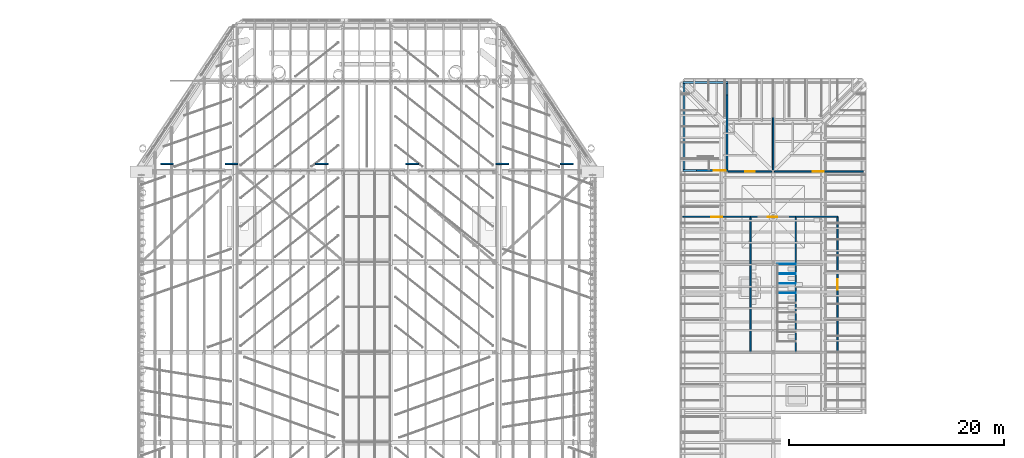
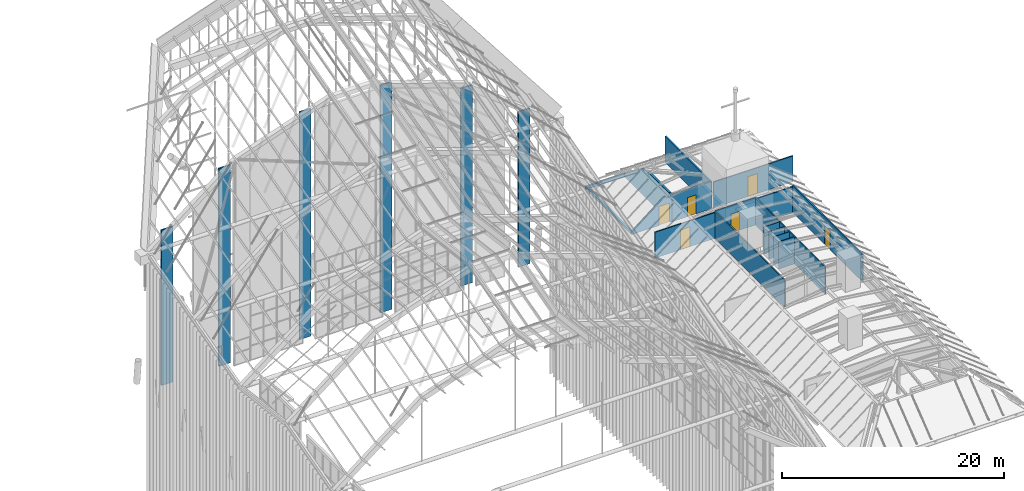
# One storey, part 82 of 126: 23 walls, 6 doors, 6 openings.
"""IFC4 building model written with IfcOpenShell, lengths in metres."""

from ifc_helpers import new_model, si_unit, direction, frame, frame_2d, origin, place, context, subcontext, project, spatial, polyline, rectangle, outline, extrude, material, layer, layer_set, type_object, element, fill, save


model = new_model("IFC4")

# Units and contexts
model_context = context("Model", 3, precision=1e-05, world=origin(), true_north=direction((0.0, 1.0)))
body_context = subcontext(model_context, "Body", "Model", "MODEL_VIEW")
ifc_project = project(units=[si_unit("LENGTHUNIT", "METRE"), si_unit("AREAUNIT", "SQUARE_METRE"), si_unit("VOLUMEUNIT", "CUBIC_METRE"), si_unit("PLANEANGLEUNIT", "RADIAN"), si_unit("MASSUNIT", "GRAM", prefix="KILO")], contexts=[model_context])

# Site, building, storey
site_placement = place(None, origin())
site = spatial("IfcSite", under=ifc_project, at=site_placement, CompositionType="ELEMENT")
building_placement = place(site_placement, origin())
building = spatial("IfcBuilding", under=site, at=building_placement, Name="Sava Quay Ferry Terminal", CompositionType="ELEMENT")
storey_placement = place(building_placement, frame((0.0, 0.0, 15.0)))
storey = spatial("IfcBuildingStorey", under=building, at=storey_placement, Name="L03", CompositionType="ELEMENT", Elevation=15.0)

# Walls
ifc_material_1 = material(Name="High-pressure laminate panel")
ifc_layer_1 = layer(ifc_material_1, 0.050048828125)
ifc_layer_set_1 = layer_set([ifc_layer_1], Name="High-pressure laminate panel")
wall_type_1 = type_object("IfcWallType", Name="Cubicle partition 50", PredefinedType="PARTITIONING", material=ifc_layer_set_1)
for number, where, z_axis, x_axis, name in (
    (1, (102.89990234375, 89.5, 0.0), (0.0, 0.0, 1.0), (-1.0, 0.0, 0.0), "Cubicle partition panel"),
    (2, (102.89990234375, 90.39990234375, 0.0), (0.0, 0.0, 1.0), (-1.0, 0.0, 0.0), "Cubicle partition panel"),
    (3, (102.89990234375, 91.300048828125, 0.0), (0.0, 0.0, 1.0), (-1.0, 0.0, 0.0), "Cubicle partition panel"),
    (4, (102.89990234375, 92.199951171875, 0.0), (0.0, 0.0, 1.0), (-1.0, 0.0, 0.0), "Cubicle partition panel"),
):
    element("IfcWall", number, at=place(storey_placement, frame(where, z_axis=z_axis, x_axis=x_axis)), inside=storey, type_object=wall_type_1, Name=name, PredefinedType="PARTITIONING", context=body_context, shape_type="SweptSolid", body=[
        extrude(rectangle(XDim=1.699951171875, YDim=0.050048828125, at=frame_2d((0.85009765625, 0.0))), origin(), (0.0, 0.0, 1.0), 3.0),
    ])
ifc_material_2 = material(Name="Limestone Mutalj", Category="masonry")
ifc_layer_2 = layer(ifc_material_2, 0.14990234375)
ifc_layer_set_2 = layer_set([ifc_layer_2], Name="Limestone Mutalj")
wall_type_2 = type_object("IfcWallType", Name="Pier cladding 150", PredefinedType="SOLIDWALL", material=ifc_layer_set_2)
wall_1_placement = place(storey_placement, frame((43.800048828125, 101.52490234375, 0.0), z_axis=(0.0, 0.0, 1.0), x_axis=(1.0, 0.0, 0.0)))
element("IfcWall", 5, at=wall_1_placement, inside=storey, type_object=wall_type_2, Name="Pier D-N 44.4", PredefinedType="SOLIDWALL", context=body_context, shape_type="SweptSolid", body=[
    extrude(rectangle(XDim=1.199951171875, YDim=0.14990234375, at=frame_2d((0.60009765625, 0.0))), origin(), (0.0, 0.0, 1.0), 17.110595703125),
])
wall_2_placement = place(storey_placement, frame((49.800048828125, 101.52490234375, 0.0), z_axis=(0.0, 0.0, 1.0), x_axis=(1.0, 0.0, 0.0)))
element("IfcWall", 6, at=wall_2_placement, inside=storey, type_object=wall_type_2, Name="Pier D-N 50.4", PredefinedType="SOLIDWALL", context=body_context, shape_type="SweptSolid", body=[
    extrude(rectangle(XDim=1.199951171875, YDim=0.14990234375, at=frame_2d((0.60009765625, 0.0))), origin(), (0.0, 0.0, 1.0), 21.79833984375),
])
for number, where, z_axis, x_axis, name in (
    (7, (58.199951171875, 101.52490234375, 0.0), (0.0, 0.0, 1.0), (1.0, 0.0, 0.0), "Pier D-N 58.8"),
    (8, (66.60009765625, 101.52490234375, 0.0), (0.0, 0.0, 1.0), (1.0, 0.0, 0.0), "Pier D-N 67.2"),
):
    element("IfcWall", number, at=place(storey_placement, frame(where, z_axis=z_axis, x_axis=x_axis)), inside=storey, type_object=wall_type_2, Name=name, PredefinedType="SOLIDWALL", context=body_context, shape_type="SweptSolid", body=[
        extrude(rectangle(XDim=1.199951171875, YDim=0.14990234375, at=frame_2d((0.60009765625, 0.0))), origin(), (0.0, 0.0, 1.0), 25.0712890625),
    ])
wall_3_placement = place(storey_placement, frame((75.0, 101.52490234375, 0.0), z_axis=(0.0, 0.0, 1.0), x_axis=(1.0, 0.0, 0.0)))
element("IfcWall", 9, at=wall_3_placement, inside=storey, type_object=wall_type_2, Name="Pier D-N 75.6", PredefinedType="SOLIDWALL", context=body_context, shape_type="SweptSolid", body=[
    extrude(rectangle(XDim=1.199951171875, YDim=0.14990234375, at=frame_2d((0.60009765625, 0.0))), origin(), (0.0, 0.0, 1.0), 21.79833984375),
])
wall_4_placement = place(storey_placement, frame((81.0, 101.52490234375, 0.0), z_axis=(0.0, 0.0, 1.0), x_axis=(1.0, 0.0, 0.0)))
element("IfcWall", 10, at=wall_4_placement, inside=storey, type_object=wall_type_2, Name="Pier D-N 81.6", PredefinedType="SOLIDWALL", context=body_context, shape_type="SweptSolid", body=[
    extrude(rectangle(XDim=1.199951171875, YDim=0.14990234375, at=frame_2d((0.60009765625, 0.0))), origin(), (0.0, 0.0, 1.0), 17.110595703125),
])

# Wall, opening, door
ifc_material_3 = material(Name="Masonry blockwork", Category="masonry")
ifc_layer_3 = layer(ifc_material_3, 0.14990234375)
ifc_layer_set_3 = layer_set([ifc_layer_3], Name="Masonry blockwork")
wall_type_3 = type_object("IfcWallType", Name="Plant, store and lobby wall, blockwork 150", PredefinedType="PARTITIONING", material=ifc_layer_set_3)
wall_5_placement = place(storey_placement, frame((96.60009765625, 100.800048828125, 0.0), z_axis=(0.0, 0.0, 1.0), x_axis=(1.0, 0.0, 0.0)))
wall_5 = element("IfcWall", 11, at=wall_5_placement, inside=storey, type_object=wall_type_3, Name="Plant, store and lobby wall, blockwork 150", PredefinedType="PARTITIONING", context=body_context, shape_type="SweptSolid", body=[
    extrude(rectangle(XDim=4.079833984375, YDim=0.14990234375, at=frame_2d((2.0400390625, 0.0))), origin(), (0.0, 0.0, 1.0), 3.0),
])
opening_1_placement = place(wall_5_placement, frame((1.60009765625, 0.0, 0.0)))
opening_1 = element("IfcOpeningElement", 12, at=opening_1_placement, cuts=wall_5, Name="Opening D0311", PredefinedType="OPENING", context=body_context, shape_type="SweptSolid", body=[
    extrude(rectangle(XDim=0.89990234375, YDim=2.10009765625, at=frame_2d((0.449951171875, 1.050048828125))), frame((0.0, 0.074951171875, 0.0), z_axis=(0.0, -1.0, 0.0), x_axis=(1.0, 0.0, 0.0)), (0.0, 0.0, 1.0), 0.14990234375),
])
ifc_material_4 = material(Name="Timber door set", Category="wood")
door_type_1 = type_object("IfcDoorType", Name="Single door 900 x 2100", OperationType="NOTDEFINED", PredefinedType="DOOR", material=ifc_material_4)
door_1_placement = place(opening_1_placement, origin())
door_1 = element("IfcDoor", 13, at=door_1_placement, inside=storey, type_object=door_type_1, Name="Door D0311", OperationType="SINGLE_SWING_LEFT", OverallHeight=2.10009765625, OverallWidth=0.89990234375, PredefinedType="DOOR", context=body_context, shape_type="SweptSolid", body=[
    extrude(rectangle(XDim=0.89990234375, YDim=2.10009765625, at=frame_2d((0.449951171875, 1.050048828125))), frame((0.0, 0.02490234375, 0.0), z_axis=(0.0, -1.0, 0.0), x_axis=(1.0, 0.0, 0.0)), (0.0, 0.0, 1.0), 0.050048828125),
])
fill(opening_1, door_1)

# Wall
wall_6_placement = place(storey_placement, frame((100.800048828125, 100.919921875, 0.0), z_axis=(0.0, 0.0, 1.0), x_axis=(0.0, 1.0, 0.0)))
element("IfcWall", 14, at=wall_6_placement, inside=storey, type_object=wall_type_3, Name="Plant, store and lobby wall, blockwork 150", PredefinedType="PARTITIONING", context=body_context, shape_type="SweptSolid", body=[
    extrude(rectangle(XDim=8.280029296875, YDim=0.14990234375, at=frame_2d((4.14013671875, 0.0))), origin(), (0.0, 0.0, 1.0), 2.85009765625),
])

# Wall, opening, door
ifc_material_5 = material(Name="Concrete C35/45", Category="concrete")
ifc_layer_4 = layer(ifc_material_5, 0.199951171875)
ifc_layer_set_4 = layer_set([ifc_layer_4], Name="Concrete C35/45")
wall_type_4 = type_object("IfcWallType", Name="RC core wall 200", PredefinedType="SHEAR", material=ifc_layer_set_4)
wall_7_placement = place(storey_placement, frame((92.39990234375, 100.89990234375, 0.0), z_axis=(0.0, 0.0, 1.0), x_axis=(1.0, 0.0, 0.0)))
wall_7 = element("IfcWall", 15, at=wall_7_placement, inside=storey, type_object=wall_type_4, Name="Core wall ST-O3 S L03", PredefinedType="SHEAR", context=body_context, shape_type="SweptSolid", body=[
    extrude(outline(polyline([(0.0, 0.0), (4.2001953125, 0.0), (4.199951171875, 3.139892578125), (3.952880859375, 2.7548828125), (3.705810546875, 2.7548828125), (3.458740234375, 2.9169921875), (0.2470703125, 0.393310546875), (0.0, 0.300048828125), (0.0, 0.0)])), frame((0.0, 0.10009765625, 0.0), z_axis=(0.0, -1.0, 0.0), x_axis=(1.0, 0.0, 0.0)), (0.0, 0.0, 1.0), 0.199951171875),
])
opening_2_placement = place(wall_7_placement, frame((2.8798828125, 0.0, 0.0)))
opening_2 = element("IfcOpeningElement", 16, at=opening_2_placement, cuts=wall_7, Name="Opening DS0306", PredefinedType="OPENING", context=body_context, shape_type="SweptSolid", body=[
    extrude(rectangle(XDim=1.10009765625, YDim=2.10009765625, at=frame_2d((0.550048828125, 1.050048828125))), frame((0.0, 0.10009765625, 0.0), z_axis=(0.0, -1.0, 0.0), x_axis=(1.0, 0.0, 0.0)), (0.0, 0.0, 1.0), 0.199951171875),
])
ifc_material_6 = material(Name="Steel fire door set", Category="steel")
door_type_2 = type_object("IfcDoorType", Name="Stair fire door 1100 x 2100", OperationType="NOTDEFINED", PredefinedType="DOOR", material=ifc_material_6)
door_2_placement = place(opening_2_placement, origin())
door_2 = element("IfcDoor", 17, at=door_2_placement, inside=storey, type_object=door_type_2, Name="Door DS0306", OperationType="SINGLE_SWING_RIGHT", OverallHeight=2.10009765625, OverallWidth=1.10009765625, PredefinedType="DOOR", context=body_context, shape_type="SweptSolid", body=[
    extrude(rectangle(XDim=1.10009765625, YDim=2.10009765625, at=frame_2d((0.550048828125, 1.050048828125))), frame((0.0, 0.02490234375, 0.0), z_axis=(0.0, -1.0, 0.0), x_axis=(1.0, 0.0, 0.0)), (0.0, 0.0, 1.0), 0.050048828125),
])
fill(opening_2, door_2)

# Walls
wall_8_placement = place(storey_placement, frame((92.39990234375, 109.10009765625, 0.0), z_axis=(0.0, 0.0, 1.0), x_axis=(1.0, 0.0, 0.0)))
element("IfcWall", 18, at=wall_8_placement, inside=storey, type_object=wall_type_4, Name="Core wall ST-O3 N L03", PredefinedType="SHEAR", context=body_context, shape_type="SweptSolid", body=[
    extrude(outline(polyline([(0.0, 0.0), (4.2001953125, 0.0), (4.199951171875, 0.300048828125), (0.0, 0.300048828125), (0.0, 0.0)])), frame((0.0, 0.10009765625, 0.0), z_axis=(0.0, -1.0, 0.0), x_axis=(1.0, 0.0, 0.0)), (0.0, 0.0, 1.0), 0.199951171875),
])
wall_9_placement = place(storey_placement, frame((92.5, 101.0, 0.0), z_axis=(0.0, 0.0, 1.0), x_axis=(0.0, 1.0, 0.0)))
element("IfcWall", 19, at=wall_9_placement, inside=storey, type_object=wall_type_4, Name="Core wall ST-O3 W L03", PredefinedType="SHEAR", context=body_context, shape_type="SweptSolid", body=[
    extrude(outline(polyline([(0.0, 0.0), (8.0, 0.0), (8.0, 0.300048828125), (0.0, 0.300048828125), (0.0, 0.0)])), frame((0.0, 0.10009765625, 0.0), z_axis=(0.0, -1.0, 0.0), x_axis=(1.0, 0.0, 0.0)), (0.0, 0.0, 1.0), 0.199951171875),
])
wall_10_placement = place(storey_placement, frame((96.5, 101.0, 0.0), z_axis=(0.0, 0.0, 1.0), x_axis=(0.0, 1.0, 0.0)))
element("IfcWall", 20, at=wall_10_placement, inside=storey, type_object=wall_type_4, Name="Core wall ST-O3 E L03", PredefinedType="SHEAR", context=body_context, shape_type="SweptSolid", body=[
    extrude(outline(polyline([(0.0, 0.0), (8.0, 0.0), (8.0, 0.3564453125), (4.75, 2.909912109375), (4.5, 2.7548828125), (4.25, 2.7548828125), (4.0, 2.7919921875), (3.75, 3.114013671875), (0.0, 3.114013671875), (0.0, 0.0)])), frame((0.0, 0.10009765625, 0.0), z_axis=(0.0, -1.0, 0.0), x_axis=(1.0, 0.0, 0.0)), (0.0, 0.0, 1.0), 0.199951171875),
])

# Wall, opening, door
ifc_material_7 = material(Name="Plasterboard on steel studs", Category="steel")
ifc_layer_5 = layer(ifc_material_7, 0.125)
ifc_layer_set_5 = layer_set([ifc_layer_5], Name="Plasterboard on steel studs")
wall_type_5 = type_object("IfcWallType", Name="Room partition, plasterboard on steel studs 125", PredefinedType="PARTITIONING", material=ifc_layer_set_5)
wall_11_placement = place(storey_placement, frame((92.39990234375, 96.60009765625, 0.0), z_axis=(0.0, 0.0, 1.0), x_axis=(1.0, 0.0, 0.0)))
wall_11 = element("IfcWall", 21, at=wall_11_placement, inside=storey, type_object=wall_type_5, Name="Room partition, plasterboard on steel studs 125", PredefinedType="PARTITIONING", context=body_context, shape_type="SweptSolid", body=[
    extrude(rectangle(XDim=6.300048828125, YDim=0.125, at=frame_2d((3.14990234375, 0.0))), origin(), (0.0, 0.0, 1.0), 2.85009765625),
])
opening_3_placement = place(wall_11_placement, frame((2.64990234375, 0.0, 0.0)))
opening_3 = element("IfcOpeningElement", 22, at=opening_3_placement, cuts=wall_11, Name="Opening D0308", PredefinedType="OPENING", context=body_context, shape_type="SweptSolid", body=[
    extrude(rectangle(XDim=1.0, YDim=2.199951171875, at=frame_2d((0.5, 1.10009765625))), frame((0.0, 0.0625, 0.0), z_axis=(0.0, -1.0, 0.0), x_axis=(1.0, 0.0, 0.0)), (0.0, 0.0, 1.0), 0.125),
])
ifc_material_8 = material(Name="Timber door set", Category="wood")
door_type_3 = type_object("IfcDoorType", Name="Single door 1000 x 2200", OperationType="NOTDEFINED", PredefinedType="DOOR", material=ifc_material_8)
door_3_placement = place(opening_3_placement, origin())
door_3 = element("IfcDoor", 23, at=door_3_placement, inside=storey, type_object=door_type_3, Name="Door D0308", OperationType="SINGLE_SWING_RIGHT", OverallHeight=2.199951171875, OverallWidth=1.0, PredefinedType="DOOR", context=body_context, shape_type="SweptSolid", body=[
    extrude(rectangle(XDim=1.0, YDim=2.199951171875, at=frame_2d((0.5, 1.10009765625))), frame((0.0, 0.02490234375, 0.0), z_axis=(0.0, -1.0, 0.0), x_axis=(1.0, 0.0, 0.0)), (0.0, 0.0, 1.0), 0.050048828125),
])
fill(opening_3, door_3)

wall_12_placement = place(storey_placement, frame((100.919921875, 100.800048828125, 0.0), z_axis=(0.0, 0.0, 1.0), x_axis=(1.0, 0.0, 0.0)))
wall_12 = element("IfcWall", 24, at=wall_12_placement, inside=storey, type_object=wall_type_5, Name="Room partition, plasterboard on steel studs 125", PredefinedType="PARTITIONING", context=body_context, shape_type="SweptSolid", body=[
    extrude(rectangle(XDim=8.280029296875, YDim=0.125, at=frame_2d((4.14013671875, 0.0))), origin(), (0.0, 0.0, 1.0), 2.85009765625),
])
opening_4_placement = place(wall_12_placement, frame((3.580078125, 0.0, 0.0)))
opening_4 = element("IfcOpeningElement", 25, at=opening_4_placement, cuts=wall_12, Name="Opening D0312", PredefinedType="OPENING", context=body_context, shape_type="SweptSolid", body=[
    extrude(rectangle(XDim=1.0, YDim=2.199951171875, at=frame_2d((0.5, 1.10009765625))), frame((0.0, 0.0625, 0.0), z_axis=(0.0, -1.0, 0.0), x_axis=(1.0, 0.0, 0.0)), (0.0, 0.0, 1.0), 0.125),
])
door_4_placement = place(opening_4_placement, origin())
door_4 = element("IfcDoor", 26, at=door_4_placement, inside=storey, type_object=door_type_3, Name="Door D0312", OperationType="SINGLE_SWING_LEFT", OverallHeight=2.199951171875, OverallWidth=1.0, PredefinedType="DOOR", context=body_context, shape_type="SweptSolid", body=[
    extrude(rectangle(XDim=1.0, YDim=2.199951171875, at=frame_2d((0.5, 1.10009765625))), frame((0.0, 0.02490234375, 0.0), z_axis=(0.0, -1.0, 0.0), x_axis=(1.0, 0.0, 0.0)), (0.0, 0.0, 1.0), 0.050048828125),
])
fill(opening_4, door_4)

ifc_material_9 = material(Name="Moisture-resistant board on steel studs", Category="steel")
ifc_layer_6 = layer(ifc_material_9, 0.125)
ifc_layer_set_6 = layer_set([ifc_layer_6], Name="Moisture-resistant board on steel studs")
wall_type_6 = type_object("IfcWallType", Name="Toilet partition, moisture-resistant board 125", PredefinedType="PARTITIONING", material=ifc_layer_set_6)
wall_13_placement = place(storey_placement, frame((98.699951171875, 96.60009765625, 0.0), z_axis=(0.0, 0.0, 1.0), x_axis=(1.0, 0.0, 0.0)))
wall_13 = element("IfcWall", 27, at=wall_13_placement, inside=storey, type_object=wall_type_6, Name="Toilet partition, moisture-resistant board 125", PredefinedType="PARTITIONING", context=body_context, shape_type="SweptSolid", body=[
    extrude(rectangle(XDim=4.199951171875, YDim=0.125, at=frame_2d((2.10009765625, 0.0))), origin(), (0.0, 0.0, 1.0), 3.0),
])
opening_5_placement = place(wall_13_placement, frame((1.60009765625, 0.0, 0.0)))
opening_5 = element("IfcOpeningElement", 28, at=opening_5_placement, cuts=wall_13, Name="Opening D0309", PredefinedType="OPENING", context=body_context, shape_type="SweptSolid", body=[
    extrude(rectangle(XDim=0.89990234375, YDim=2.10009765625, at=frame_2d((0.449951171875, 1.050048828125))), frame((0.0, 0.0625, 0.0), z_axis=(0.0, -1.0, 0.0), x_axis=(1.0, 0.0, 0.0)), (0.0, 0.0, 1.0), 0.125),
])
ifc_material_10 = material(Name="Laminate door set")
door_type_4 = type_object("IfcDoorType", Name="Toilet door 900 x 2100", OperationType="NOTDEFINED", PredefinedType="DOOR", material=ifc_material_10)
door_5_placement = place(opening_5_placement, origin())
door_5 = element("IfcDoor", 29, at=door_5_placement, inside=storey, type_object=door_type_4, Name="Door D0309", OperationType="SINGLE_SWING_LEFT", OverallHeight=2.10009765625, OverallWidth=0.89990234375, PredefinedType="DOOR", context=body_context, shape_type="SweptSolid", body=[
    extrude(rectangle(XDim=0.89990234375, YDim=2.10009765625, at=frame_2d((0.449951171875, 1.050048828125))), frame((0.0, 0.02490234375, 0.0), z_axis=(0.0, -1.0, 0.0), x_axis=(1.0, 0.0, 0.0)), (0.0, 0.0, 1.0), 0.050048828125),
])
fill(opening_5, door_5)

# Wall
wall_14_placement = place(storey_placement, frame((102.89990234375, 96.60009765625, 0.0), z_axis=(0.0, 0.0, 1.0), x_axis=(1.0, 0.0, 0.0)))
element("IfcWall", 30, at=wall_14_placement, inside=storey, type_object=wall_type_6, Name="Toilet partition, moisture-resistant board 125", PredefinedType="PARTITIONING", context=body_context, shape_type="SweptSolid", body=[
    extrude(rectangle(XDim=3.900146484375, YDim=0.125, at=frame_2d((1.9501953125, 0.0))), origin(), (0.0, 0.0, 1.0), 2.85009765625),
])

# Wall, opening, door
wall_15_placement = place(storey_placement, frame((106.800048828125, 84.0, 0.0), z_axis=(0.0, 0.0, 1.0), x_axis=(0.0, 1.0, 0.0)))
wall_15 = element("IfcWall", 31, at=wall_15_placement, inside=storey, type_object=wall_type_6, Name="Toilet partition, moisture-resistant board 125", PredefinedType="PARTITIONING", context=body_context, shape_type="SweptSolid", body=[
    extrude(rectangle(XDim=12.60009765625, YDim=0.125, at=frame_2d((6.300048828125, 0.0))), origin(), (0.0, 0.0, 1.0), 3.0),
])
opening_6_placement = place(wall_15_placement, frame((5.800048828125, 0.0, 0.0)))
opening_6 = element("IfcOpeningElement", 32, at=opening_6_placement, cuts=wall_15, Name="Opening D0310", PredefinedType="OPENING", context=body_context, shape_type="SweptSolid", body=[
    extrude(rectangle(XDim=1.0, YDim=2.10009765625, at=frame_2d((0.5, 1.050048828125))), frame((0.0, 0.0625, 0.0), z_axis=(0.0, -1.0, 0.0), x_axis=(1.0, 0.0, 0.0)), (0.0, 0.0, 1.0), 0.125),
])
ifc_material_11 = material(Name="Laminate door set")
door_type_5 = type_object("IfcDoorType", Name="Accessible toilet door 1000 x 2100", OperationType="NOTDEFINED", PredefinedType="DOOR", material=ifc_material_11)
door_6_placement = place(opening_6_placement, origin())
door_6 = element("IfcDoor", 33, at=door_6_placement, inside=storey, type_object=door_type_5, Name="Door D0310", OperationType="SINGLE_SWING_RIGHT", OverallHeight=2.10009765625, OverallWidth=1.0, PredefinedType="DOOR", context=body_context, shape_type="SweptSolid", body=[
    extrude(rectangle(XDim=1.0, YDim=2.10009765625, at=frame_2d((0.5, 1.050048828125))), frame((0.0, 0.02490234375, 0.0), z_axis=(0.0, -1.0, 0.0), x_axis=(1.0, 0.0, 0.0)), (0.0, 0.0, 1.0), 0.050048828125),
])
fill(opening_6, door_6)

# Walls
for number, where, z_axis, x_axis, name in (
    (34, (98.699951171875, 84.0, 0.0), (0.0, 0.0, 1.0), (0.0, 1.0, 0.0), "Toilet partition, moisture-resistant board 125"),
    (35, (102.89990234375, 84.0, 0.0), (0.0, 0.0, 1.0), (0.0, 1.0, 0.0), "Toilet partition, moisture-resistant board 125"),
):
    element("IfcWall", number, at=place(storey_placement, frame(where, z_axis=z_axis, x_axis=x_axis)), inside=storey, type_object=wall_type_6, Name=name, PredefinedType="PARTITIONING", context=body_context, shape_type="SweptSolid", body=[
        extrude(rectangle(XDim=12.60009765625, YDim=0.125, at=frame_2d((6.300048828125, 0.0))), origin(), (0.0, 0.0, 1.0), 3.0),
    ])

save(model, "model.ifc")
